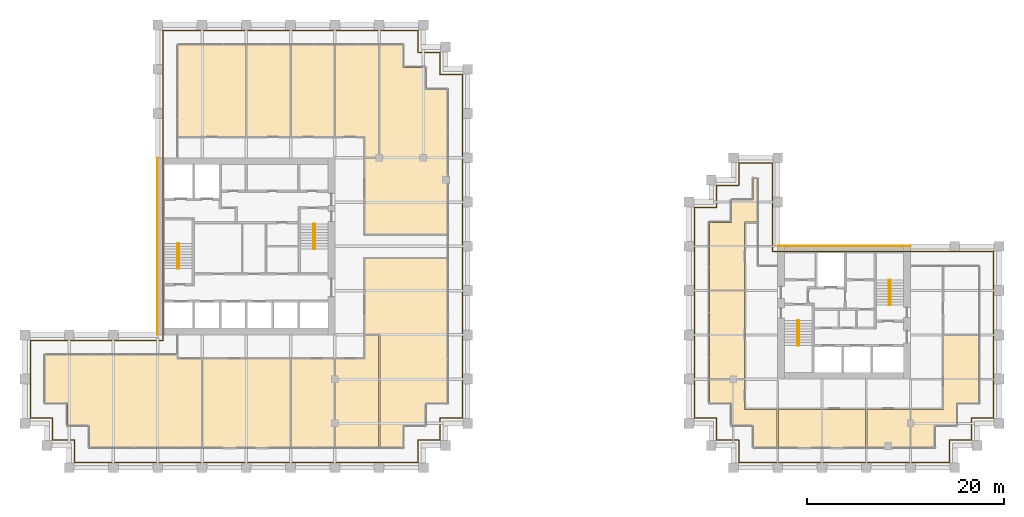
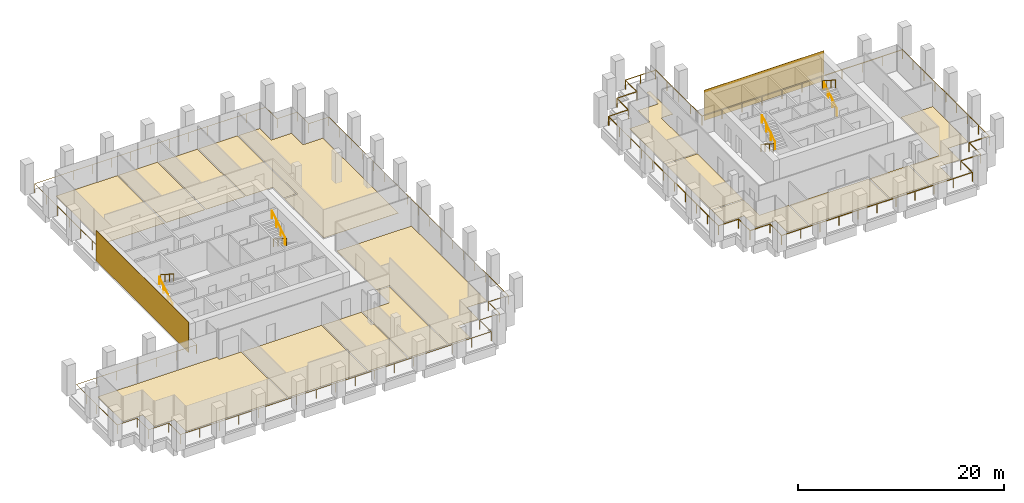
# One storey, part 45 of 46: 18 coverings, 10 railings.
"""IFC4 building model written with IfcOpenShell, lengths in metres."""

import ifcopenshell
import ifcopenshell.guid

model = None  # the IFC model being written
_history = None  # IfcOwnerHistory: only IFC2X3 demands one
_inside = {}  # id of a spatial element -> (the spatial element, [elements in it])
_under = {}  # id of a project, library or spatial element -> (it, [spatial elements below it])
_declared = {}  # id of a project -> (the project, [libraries it declares])
_typed = {}  # id of a type object -> (the type object, [elements of that type])
_made_of = {}  # id of a material, layer set ... -> (it, [elements and type objects made of it])


def new_model(schema):
    """Start an empty IFC model of exactly this schema.

    Asked for "IFC4X3", IfcOpenShell would pick the latest addendum, in which some entities
    have other attributes; the version numbers below select the first issue.
    IFC2X3 requires an IfcOwnerHistory on every rooted entity: one is made here for all.
    """
    global model, _history
    if schema == "IFC4X3":
        model = ifcopenshell.file(schema_version=(4, 3, 0, 0))
    else:
        model = ifcopenshell.file(schema=schema)
    _inside.clear()
    _under.clear()
    _declared.clear()
    _typed.clear()
    _made_of.clear()
    _history = None
    if model.schema == "IFC2X3":
        org = make("IfcOrganization", Name="unknown")
        user = make(
            "IfcPersonAndOrganization",
            ThePerson=make("IfcPerson", FamilyName="unknown"),
            TheOrganization=org,
        )
        app = make(
            "IfcApplication",
            ApplicationDeveloper=org,
            Version="unknown",
            ApplicationFullName="unknown",
            ApplicationIdentifier="unknown",
        )
        _history = make(
            "IfcOwnerHistory",
            OwningUser=user,
            OwningApplication=app,
            ChangeAction="ADDED",
            CreationDate=0,
        )
    return model


def make(cls, **values):
    """One entity of the class cls with the attributes given. An attribute that is None is left unset."""
    return model.create_entity(
        cls, **{name: value for name, value in values.items() if value is not None}
    )


def rooted(cls, **values):
    """An entity with a GlobalId (a new one), such as an element, a storey or a relation."""
    return make(cls, GlobalId=ifcopenshell.guid.new(), OwnerHistory=_history, **values)


def si_unit(unit_type, name, prefix=None):
    """IfcSIUnit, for example si_unit("LENGTHUNIT", "METRE", prefix="MILLI")."""
    return make("IfcSIUnit", UnitType=unit_type, Prefix=prefix, Name=name)


def assignment(units):
    """IfcUnitAssignment: the units of a project."""
    return None if units is None else make("IfcUnitAssignment", Units=units)


def point(xyz):
    """IfcCartesianPoint."""
    return None if xyz is None else make("IfcCartesianPoint", Coordinates=xyz)


def direction(xyz):
    """IfcDirection."""
    return None if xyz is None else make("IfcDirection", DirectionRatios=xyz)


def frame(location, z_axis=None, x_axis=None):
    """IfcAxis2Placement3D, a coordinate frame: its origin and axes. An axis left out is left unset."""
    return make(
        "IfcAxis2Placement3D",
        Location=point(location),
        Axis=direction(z_axis),
        RefDirection=direction(x_axis),
    )


def frame_2d(location, x_axis=None):
    """IfcAxis2Placement2D, a coordinate frame in the plane: its origin and x axis."""
    return make(
        "IfcAxis2Placement2D", Location=point(location), RefDirection=direction(x_axis)
    )


def origin():
    """The frame at (0, 0, 0) with its axes left unset."""
    return frame((0.0, 0.0, 0.0))


def origin_2d():
    """The frame at (0, 0) in the plane with its x axis left unset."""
    return frame_2d((0.0, 0.0))


def place(relative_to, where):
    """IfcLocalPlacement: puts the frame where relative to a parent placement (None: the world)."""
    return make(
        "IfcLocalPlacement", PlacementRelTo=relative_to, RelativePlacement=where
    )


def context(
    kind, dimensions, precision=None, world=None, true_north=None, identifier=None
):
    """IfcGeometricRepresentationContext, for example the 3D "Model" context."""
    return make(
        "IfcGeometricRepresentationContext",
        ContextIdentifier=identifier,
        ContextType=kind,
        CoordinateSpaceDimension=dimensions,
        Precision=precision,
        WorldCoordinateSystem=world,
        TrueNorth=true_north,
    )


def subcontext(parent, identifier, kind, view, scale=None):
    """IfcGeometricRepresentationSubContext, for example "Body" below "Model"."""
    return make(
        "IfcGeometricRepresentationSubContext",
        ContextIdentifier=identifier,
        ContextType=kind,
        ParentContext=parent,
        TargetScale=scale,
        TargetView=view,
    )


def project(units=None, contexts=None):
    """IfcProject with its units and contexts."""
    return rooted(
        "IfcProject",
        Name="project",
        RepresentationContexts=contexts,
        UnitsInContext=assignment(units),
    )


def spatial(cls, under=None, at=None, **own):
    """A site, building, storey or space (cls), placed at a placement, below another one or the project."""
    s = rooted(cls, ObjectPlacement=at, **own)
    if under is not None:
        _under.setdefault(under.id(), (under, []))[1].append(s)
    return s


def polyline(points):
    """IfcPolyline through the points."""
    return make("IfcPolyline", Points=[point(p) for p in points])


def profile(cls, at=None, kind="AREA", **sizes):
    """A parametric profile (cls). Its sizes go by their IFC names, for example OverallWidth=200.0."""
    return make(cls, ProfileType=kind, Position=at, **sizes)


def rectangle(**sizes):
    """IfcRectangleProfileDef."""
    return profile("IfcRectangleProfileDef", **sizes)


def circle(**sizes):
    """IfcCircleProfileDef."""
    return profile("IfcCircleProfileDef", **sizes)


def outline(outer, holes=None, kind="AREA"):
    """IfcArbitraryClosedProfileDef: a profile drawn as a closed curve; with holes, ...WithVoids."""
    if holes is None:
        return make("IfcArbitraryClosedProfileDef", ProfileType=kind, OuterCurve=outer)
    return make(
        "IfcArbitraryProfileDefWithVoids",
        ProfileType=kind,
        OuterCurve=outer,
        InnerCurves=holes,
    )


def extrude(swept, where, along, depth):
    """IfcExtrudedAreaSolid: the profile swept, set in the frame where, extruded along a direction by depth."""
    return make(
        "IfcExtrudedAreaSolid",
        SweptArea=swept,
        Position=where,
        ExtrudedDirection=direction(along),
        Depth=depth,
    )


def shape(context_of_items, identifier, shape_type, items):
    """IfcShapeRepresentation: the items that make up one representation, for example the "Body"."""
    return make(
        "IfcShapeRepresentation",
        ContextOfItems=context_of_items,
        RepresentationIdentifier=identifier,
        RepresentationType=shape_type,
        Items=items,
    )


def source(mapping_origin, context_of_items, identifier, shape_type, items):
    """IfcRepresentationMap: a shape defined once, which mapped items show again and again."""
    return make(
        "IfcRepresentationMap",
        MappingOrigin=mapping_origin,
        MappedRepresentation=shape(context_of_items, identifier, shape_type, items),
    )


def transform(
    local_origin,
    x_axis=None,
    y_axis=None,
    z_axis=None,
    scale=None,
    scale2=None,
    scale3=None,
    uniform=True,
):
    """IfcCartesianTransformationOperator3D, or its non-uniform kind. x_axis, y_axis, z_axis: its Axis1, 2, 3."""
    if uniform:
        return make(
            "IfcCartesianTransformationOperator3D",
            Axis1=direction(x_axis),
            Axis2=direction(y_axis),
            LocalOrigin=point(local_origin),
            Scale=scale,
            Axis3=direction(z_axis),
        )
    return make(
        "IfcCartesianTransformationOperator3DnonUniform",
        Axis1=direction(x_axis),
        Axis2=direction(y_axis),
        LocalOrigin=point(local_origin),
        Scale=scale,
        Axis3=direction(z_axis),
        Scale2=scale2,
        Scale3=scale3,
    )


def mapped(mapping_source, mapping_target):
    """IfcMappedItem: shows the shape of a source again, moved by a transform."""
    return make(
        "IfcMappedItem", MappingSource=mapping_source, MappingTarget=mapping_target
    )


def material(Name=None, Category=None):
    """IfcMaterial."""
    return make("IfcMaterial", Name=Name, Category=Category)


def layer(
    of_material, thickness, ventilated=None, Name=None, Category=None, Priority=None
):
    """IfcMaterialLayer: one layer of a wall or slab, of a material (None: an air gap)."""
    return make(
        "IfcMaterialLayer",
        Material=of_material,
        LayerThickness=thickness,
        IsVentilated=ventilated,
        Name=Name,
        Category=Category,
        Priority=Priority,
    )


def layer_set(layers, Name=None):
    """IfcMaterialLayerSet."""
    return make("IfcMaterialLayerSet", MaterialLayers=layers, LayerSetName=Name)


def made_of(thing, what):
    """Note that an element or type object is made of a material, layer set ...; save() writes the relation."""
    if what is not None:
        _made_of.setdefault(what.id(), (what, []))[1].append(thing)
    return thing


def type_object(cls, material=None, **own):
    """A type object (cls), such as IfcWallType, which elements share."""
    return made_of(rooted(cls, **own), material)


def element(
    cls,
    number,
    at=None,
    inside=None,
    cuts=None,
    type_object=None,
    material=None,
    context=None,
    identifier="Body",
    shape_type=None,
    held_by="IfcProductDefinitionShape",
    body=None,
    shapes=None,
    **own,
):
    """One element of the class cls, such as IfcWall. Its Tag is "e" and its number.

    at: its placement. inside: the storey or other place that contains it. cuts: it is an
    opening in that element (IfcRelVoidsElement). A single representation is given by context,
    identifier, shape_type and body (its items); several are given by shapes. held_by: the class
    of the entity that holds the representations. save() writes the other relations.
    """
    e = rooted(cls, Tag="e%d" % number, ObjectPlacement=at, **own)
    if body is not None:
        shapes = [shape(context, identifier, shape_type, body)]
    if shapes is not None:
        e.Representation = make(held_by, Representations=shapes)
    if inside is not None:
        _inside.setdefault(inside.id(), (inside, []))[1].append(e)
    if cuts is not None:
        rooted(
            "IfcRelVoidsElement", RelatingBuildingElement=cuts, RelatedOpeningElement=e
        )
    if type_object is not None:
        _typed.setdefault(type_object.id(), (type_object, []))[1].append(e)
    return made_of(e, material)


def aggregate(whole, parts):
    """IfcRelAggregates: a whole, such as a stair, and the parts it consists of."""
    return rooted("IfcRelAggregates", RelatingObject=whole, RelatedObjects=parts)


def save(model, path):
    """Write the relations noted so far, then the file.

    IfcRelAggregates (storeys below a building ...), IfcRelContainedInSpatialStructure (elements
    in a storey), IfcRelDefinesByType, IfcRelAssociatesMaterial and IfcRelDeclares: one each for
    every whole, place, type object, material and project.
    """
    for whole, parts in _under.values():
        aggregate(whole, parts)
    for where, things in _inside.values():
        rooted(
            "IfcRelContainedInSpatialStructure",
            RelatedElements=things,
            RelatingStructure=where,
        )
    for kind, things in _typed.values():
        rooted("IfcRelDefinesByType", RelatedObjects=things, RelatingType=kind)
    for what, things in _made_of.values():
        rooted("IfcRelAssociatesMaterial", RelatedObjects=things, RelatingMaterial=what)
    for by, libraries in _declared.values():
        rooted("IfcRelDeclares", RelatingContext=by, RelatedDefinitions=libraries)
    model.write(path)


model = new_model("IFC4")

# Units and contexts
model_context = context("Model", 3, precision=1e-05, world=origin(), true_north=direction((0.0, 1.0)))
body_context = subcontext(model_context, "Body", "Model", "MODEL_VIEW")
ifc_project = project(units=[si_unit("LENGTHUNIT", "METRE"), si_unit("AREAUNIT", "SQUARE_METRE"), si_unit("VOLUMEUNIT", "CUBIC_METRE"), si_unit("PLANEANGLEUNIT", "RADIAN"), si_unit("MASSUNIT", "GRAM", prefix="KILO")], contexts=[model_context])

# Site, building, storey
site_placement = place(None, origin())
site = spatial("IfcSite", under=ifc_project, at=site_placement, CompositionType="ELEMENT")
building_placement = place(site_placement, origin())
building = spatial("IfcBuilding", under=site, at=building_placement, Name="Altepetl Exchange Towers", CompositionType="ELEMENT")
storey_placement = place(building_placement, frame((0.0, 0.0, 128.0)))
storey = spatial("IfcBuildingStorey", under=building, at=storey_placement, Name="L31", CompositionType="ELEMENT", Elevation=128.0)

# Coverings
ifc_material_1 = material(Name="Carpet tile")
ifc_layer_1 = layer(ifc_material_1, 0.02001953125)
ifc_layer_set_1 = layer_set([ifc_layer_1], Name="Carpet tile")
covering_type_1 = type_object("IfcCoveringType", Name="Carpet tile floor", PredefinedType="FLOORING", material=ifc_layer_set_1)
covering_1_placement = place(storey_placement, origin())
element("IfcCovering", 1, at=covering_1_placement, inside=storey, type_object=covering_type_1, Name="Open office floor finish A31.01", PredefinedType="FLOORING", context=body_context, shape_type="SweptSolid", body=[
    extrude(outline(polyline([(33.5625, 29.0625), (44.9375, 29.0625), (44.9375, 38.03759765625), (42.4375, 38.03759765625), (42.4375, 38.4375), (29.0625, 38.4375), (29.0625, 33.5625), (31.3125, 33.5625), (31.3125, 31.3125), (33.5625, 31.3125), (33.5625, 29.0625)])), origin(), (0.0, 0.0, 1.0), 0.02001953125),
])
covering_2_placement = place(storey_placement, origin())
element("IfcCovering", 2, at=covering_2_placement, inside=storey, type_object=covering_type_1, Name="Research office floor finish A31.02", PredefinedType="FLOORING", context=body_context, shape_type="SweptSolid", body=[
    extrude(outline(polyline([(53.9375, 29.0625), (53.9375, 38.03759765625), (45.0625, 38.03759765625), (45.0625, 29.0625), (53.9375, 29.0625)])), origin(), (0.0, 0.0, 1.0), 0.02001953125),
])
covering_3_placement = place(storey_placement, origin())
element("IfcCovering", 3, at=covering_3_placement, inside=storey, type_object=covering_type_1, Name="Quiet room floor finish A31.03", PredefinedType="FLOORING", context=body_context, shape_type="SweptSolid", body=[
    extrude(outline(polyline([(58.4375, 29.0625), (58.4375, 38.03759765625), (54.0625, 38.03759765625), (54.0625, 29.0625), (58.4375, 29.0625)])), origin(), (0.0, 0.0, 1.0), 0.02001953125),
])
covering_4_placement = place(storey_placement, origin())
element("IfcCovering", 4, at=covering_4_placement, inside=storey, type_object=covering_type_1, Name="Interview room floor finish A31.04", PredefinedType="FLOORING", context=body_context, shape_type="SweptSolid", body=[
    extrude(outline(polyline([(62.9375, 29.0625), (62.9375, 40.4375), (61.5625, 40.4375), (61.5625, 38.03759765625), (58.5625, 38.03759765625), (58.5625, 29.0625), (62.9375, 29.0625)])), origin(), (0.0, 0.0, 1.0), 0.02001953125),
])
covering_5_placement = place(storey_placement, origin())
element("IfcCovering", 5, at=covering_5_placement, inside=storey, type_object=covering_type_1, Name="Research office floor finish A31.05", PredefinedType="FLOORING", context=body_context, shape_type="SweptSolid", body=[
    extrude(outline(polyline([(67.6875, 31.3125), (67.6875, 33.5625), (69.9375, 33.5625), (69.9375, 48.237548828125), (61.5625, 48.237548828125), (61.5625, 40.5625), (63.0625, 40.5625), (63.0625, 29.0625), (65.4375, 29.0625), (65.4375, 31.3125), (67.6875, 31.3125)])), origin(), (0.0, 0.0, 1.0), 0.02001953125),
])
covering_6_placement = place(storey_placement, origin())
element("IfcCovering", 6, at=covering_6_placement, inside=storey, type_object=covering_type_1, Name="Open office floor finish A31.06", PredefinedType="FLOORING", context=body_context, shape_type="SweptSolid", body=[
    extrude(outline(polyline([(61.5625, 50.762451171875), (69.9375, 50.762451171875), (69.9375, 65.4375), (67.6875, 65.4375), (67.6875, 67.6875), (65.4375, 67.6875), (65.4375, 69.9375), (63.0625, 69.9375), (63.0625, 58.4375), (61.5625, 58.4375), (61.5625, 50.762451171875)])), origin(), (0.0, 0.0, 1.0), 0.02001953125),
])
covering_7_placement = place(storey_placement, origin())
element("IfcCovering", 7, at=covering_7_placement, inside=storey, type_object=covering_type_1, Name="Seminar room floor finish A31.07", PredefinedType="FLOORING", context=body_context, shape_type="SweptSolid", body=[
    extrude(outline(polyline([(61.5625, 58.5625), (62.9375, 58.5625), (62.9375, 69.9375), (58.5625, 69.9375), (58.5625, 60.66259765625), (61.5625, 60.66259765625), (61.5625, 58.5625)])), origin(), (0.0, 0.0, 1.0), 0.02001953125),
])
covering_8_placement = place(storey_placement, origin())
element("IfcCovering", 8, at=covering_8_placement, inside=storey, type_object=covering_type_1, Name="Quiet room floor finish A31.08", PredefinedType="FLOORING", context=body_context, shape_type="SweptSolid", body=[
    extrude(outline(polyline([(58.4375, 60.66259765625), (58.4375, 69.9375), (54.0625, 69.9375), (54.0625, 60.66259765625), (58.4375, 60.66259765625)])), origin(), (0.0, 0.0, 1.0), 0.02001953125),
])
covering_9_placement = place(storey_placement, origin())
element("IfcCovering", 9, at=covering_9_placement, inside=storey, type_object=covering_type_1, Name="Open office floor finish A31.10", PredefinedType="FLOORING", context=body_context, shape_type="SweptSolid", body=[
    extrude(outline(polyline([(49.4375, 60.66259765625), (49.4375, 69.9375), (42.5625, 69.9375), (42.5625, 60.66259765625), (49.4375, 60.66259765625)])), origin(), (0.0, 0.0, 1.0), 0.02001953125),
])
covering_10_placement = place(storey_placement, origin())
element("IfcCovering", 10, at=covering_10_placement, inside=storey, type_object=covering_type_1, Name="Cowork office floor finish B31.01", PredefinedType="FLOORING", context=body_context, shape_type="SweptSolid", body=[
    extrude(outline(polyline([(100.137451171875, 44.9375), (96.5625, 44.9375), (96.5625, 36.0625), (100.137451171875, 36.0625), (100.137451171875, 44.9375)])), origin(), (0.0, 0.0, 1.0), 0.02001953125),
])
covering_11_placement = place(storey_placement, origin())
element("IfcCovering", 11, at=covering_11_placement, inside=storey, type_object=covering_type_1, Name="Training room floor finish B31.02", PredefinedType="FLOORING", context=body_context, shape_type="SweptSolid", body=[
    extrude(outline(polyline([(100.137451171875, 35.9375), (96.5625, 35.9375), (96.5625, 33.5625), (98.8125, 33.5625), (98.8125, 31.3125), (101.0625, 31.3125), (101.0625, 29.0625), (103.4375, 29.0625), (103.4375, 32.9375), (100.137451171875, 32.9375), (100.137451171875, 35.9375)])), origin(), (0.0, 0.0, 1.0), 0.02001953125),
])
covering_12_placement = place(storey_placement, origin())
element("IfcCovering", 12, at=covering_12_placement, inside=storey, type_object=covering_type_1, Name="Cowork office floor finish B31.03", PredefinedType="FLOORING", context=body_context, shape_type="SweptSolid", body=[
    extrude(outline(polyline([(103.5625, 32.9375), (103.5625, 29.0625), (112.4375, 29.0625), (112.4375, 32.9375), (103.5625, 32.9375)])), origin(), (0.0, 0.0, 1.0), 0.02001953125),
])
covering_13_placement = place(storey_placement, origin())
element("IfcCovering", 13, at=covering_13_placement, inside=storey, type_object=covering_type_1, Name="Open office floor finish B31.05", PredefinedType="FLOORING", context=body_context, shape_type="SweptSolid", body=[
    extrude(outline(polyline([(117.0625, 32.9375), (117.0625, 29.0625), (119.4375, 29.0625), (119.4375, 31.3125), (121.6875, 31.3125), (121.6875, 33.5625), (123.9375, 33.5625), (123.9375, 40.4375), (120.362548828125, 40.4375), (120.362548828125, 32.9375), (117.0625, 32.9375)])), origin(), (0.0, 0.0, 1.0), 0.02001953125),
])
covering_14_placement = place(storey_placement, origin())
element("IfcCovering", 14, at=covering_14_placement, inside=storey, type_object=covering_type_1, Name="Cowork office floor finish B31.07", PredefinedType="FLOORING", context=body_context, shape_type="SweptSolid", body=[
    extrude(outline(polyline([(101.0625, 54.1875), (98.8125, 54.1875), (98.8125, 51.9375), (96.5625, 51.9375), (96.5625, 45.0625), (100.137451171875, 45.0625), (100.137451171875, 51.96240234375), (101.4375, 51.96240234375), (101.4375, 56.4375), (101.0625, 56.4375), (101.0625, 54.1875)])), origin(), (0.0, 0.0, 1.0), 0.02001953125),
])
ifc_material_2 = material(Name="Cantera stone", Category="masonry")
ifc_layer_2 = layer(ifc_material_2, 0.030029296875)
ifc_layer_set_2 = layer_set([ifc_layer_2], Name="Cantera stone")
covering_type_2 = type_object("IfcCoveringType", Name="Polished stone floor", PredefinedType="FLOORING", material=ifc_layer_set_2)
covering_15_placement = place(storey_placement, origin())
element("IfcCovering", 15, at=covering_15_placement, inside=storey, type_object=covering_type_2, Name="Lounge floor finish B31.04", PredefinedType="FLOORING", context=body_context, shape_type="SweptSolid", body=[
    extrude(outline(polyline([(112.5625, 32.9375), (112.5625, 29.0625), (116.9375, 29.0625), (116.9375, 32.9375), (112.5625, 32.9375)])), origin(), (0.0, 0.0, 1.0), 0.030029296875),
])
ifc_material_3 = material(Name="Calcium sulphate access floor panel")
ifc_layer_3 = layer(ifc_material_3, 0.0400390625)
ifc_layer_set_3 = layer_set([ifc_layer_3], Name="Calcium sulphate access floor panel")
covering_type_3 = type_object("IfcCoveringType", Name="Raised access floor panels", PredefinedType="FLOORING", material=ifc_layer_set_3)
covering_16_placement = place(storey_placement, origin())
element("IfcCovering", 16, at=covering_16_placement, inside=storey, type_object=covering_type_3, Name="Data room floor finish A31.09", PredefinedType="FLOORING", context=body_context, shape_type="SweptSolid", body=[
    extrude(outline(polyline([(53.9375, 60.66259765625), (53.9375, 69.9375), (49.5625, 69.9375), (49.5625, 60.66259765625), (53.9375, 60.66259765625)])), origin(), (0.0, 0.0, 1.0), 0.0400390625),
])
ifc_material_4 = material(Name="Cantera limestone cladding", Category="masonry")
ifc_layer_4 = layer(ifc_material_4, 0.0400390625)
ifc_layer_set_4 = layer_set([ifc_layer_4], Name="Cantera limestone cladding")
covering_type_4 = type_object("IfcCoveringType", Name="Stone panel 40 cantera", PredefinedType="CLADDING", material=ifc_layer_set_4)
covering_17_placement = place(storey_placement, frame((40.47998046875, 49.5, 0.0), z_axis=(0.0, 0.0, 1.0), x_axis=(0.0, -1.0, 0.0)))
element("IfcCovering", 17, at=covering_17_placement, inside=storey, type_object=covering_type_4, Name="Stone cladding panel", PredefinedType="CLADDING", context=body_context, shape_type="SweptSolid", body=[
    extrude(rectangle(XDim=18.0, YDim=0.0400390625, at=origin_2d()), origin(), (0.0, 0.0, 1.0), 3.60009765625),
])
covering_18_placement = place(storey_placement, frame((110.25, 49.52001953125, 0.0), z_axis=(0.0, 0.0, 1.0), x_axis=(-1.0, 0.0, 0.0)))
element("IfcCovering", 18, at=covering_18_placement, inside=storey, type_object=covering_type_4, Name="Stone cladding panel", PredefinedType="CLADDING", context=body_context, shape_type="SweptSolid", body=[
    extrude(rectangle(XDim=13.5, YDim=0.0400390625, at=origin_2d()), origin(), (0.0, 0.0, 1.0), 3.60009765625),
])

# Railings
ifc_material_5 = material(Name="Steel S355", Category="steel")
railing_type_1 = type_object("IfcRailingType", Name="Guard 1100 steel posts and rail", PredefinedType="GUARDRAIL", material=ifc_material_5)
shared_shape_1 = source(origin(), body_context, "Body", "SweptSolid", [
    extrude(circle(Radius=0.02099609375, at=origin_2d()), origin(), (0.0, 0.0, 1.0), 1.052001953125),
])
railing_1_placement = place(storey_placement, frame((41.050048828125, 39.949951171875, 0.0)))
element("IfcRailing", 19, at=railing_1_placement, inside=storey, type_object=railing_type_1, Name="Loggia guard", PredefinedType="GUARDRAIL", context=body_context, shape_type="SweptSolid", body=[
    extrude(circle(Radius=0.02392578125, at=origin_2d()), frame((0.0, 0.0, 1.076171875), z_axis=(-1.0, 0.0, 0.0), x_axis=(0.0, -1.0, 0.0)), (0.0, 0.0, 1.0), 13.5),
    extrude(circle(Radius=0.02392578125, at=origin_2d()), frame((-13.5, 0.0, 1.076171875), z_axis=(0.0, -1.0, 0.0), x_axis=(1.0, 0.0, 0.0)), (0.0, 0.0, 1.0), 7.89990234375),
    extrude(circle(Radius=0.02392578125, at=origin_2d()), frame((-13.5, -7.89990234375, 1.076171875), z_axis=(1.0, 0.0, 0.0), x_axis=(0.0, 1.0, 0.0)), (0.0, 0.0, 1.0), 2.25),
    extrude(circle(Radius=0.02392578125, at=origin_2d()), frame((-11.25, -7.89990234375, 1.076171875), z_axis=(0.0, -1.0, 0.0), x_axis=(1.0, 0.0, 0.0)), (0.0, 0.0, 1.0), 2.25),
    extrude(circle(Radius=0.02392578125, at=origin_2d()), frame((-11.25, -10.14990234375, 1.076171875), z_axis=(1.0, 0.0, 0.0), x_axis=(0.0, 1.0, 0.0)), (0.0, 0.0, 1.0), 2.25),
    extrude(circle(Radius=0.02392578125, at=origin_2d()), frame((-9.0, -10.14990234375, 1.076171875), z_axis=(0.0, -1.0, 0.0), x_axis=(1.0, 0.0, 0.0)), (0.0, 0.0, 1.0), 2.25),
    extrude(circle(Radius=0.02392578125, at=origin_2d()), frame((-9.0, -12.39990234375, 1.076171875), z_axis=(1.0, 0.0, 0.0), x_axis=(0.0, 1.0, 0.0)), (0.0, 0.0, 1.0), 34.89990234375),
    extrude(circle(Radius=0.02392578125, at=origin_2d()), frame((25.89990234375, -12.39990234375, 1.076171875), z_axis=(0.0, 1.0, 0.0), x_axis=(-1.0, 0.0, 0.0)), (0.0, 0.0, 1.0), 2.25),
    extrude(circle(Radius=0.02392578125, at=origin_2d()), frame((25.89990234375, -10.14990234375, 1.076171875), z_axis=(1.0, 0.0, 0.0), x_axis=(0.0, 1.0, 0.0)), (0.0, 0.0, 1.0), 2.25),
    extrude(circle(Radius=0.02392578125, at=origin_2d()), frame((28.14990234375, -10.14990234375, 1.076171875), z_axis=(0.0, 1.0, 0.0), x_axis=(-1.0, 0.0, 0.0)), (0.0, 0.0, 1.0), 2.25),
    extrude(circle(Radius=0.02392578125, at=origin_2d()), frame((28.14990234375, -7.89990234375, 1.076171875), z_axis=(1.0, 0.0, 0.0), x_axis=(0.0, 1.0, 0.0)), (0.0, 0.0, 1.0), 2.25),
    extrude(circle(Radius=0.02392578125, at=origin_2d()), frame((30.39990234375, -7.89990234375, 1.076171875), z_axis=(0.0, 1.0, 0.0), x_axis=(-1.0, 0.0, 0.0)), (0.0, 0.0, 1.0), 34.89990234375),
    extrude(circle(Radius=0.02392578125, at=origin_2d()), frame((30.39990234375, 27.0, 1.076171875), z_axis=(-1.0, 0.0, 0.0), x_axis=(0.0, -1.0, 0.0)), (0.0, 0.0, 1.0), 2.25),
    extrude(circle(Radius=0.02392578125, at=origin_2d()), frame((28.14990234375, 27.0, 1.076171875), z_axis=(0.0, 1.0, 0.0), x_axis=(-1.0, 0.0, 0.0)), (0.0, 0.0, 1.0), 2.25),
    extrude(circle(Radius=0.02392578125, at=origin_2d()), frame((28.14990234375, 29.25, 1.076171875), z_axis=(-1.0, 0.0, 0.0), x_axis=(0.0, -1.0, 0.0)), (0.0, 0.0, 1.0), 2.25),
    extrude(circle(Radius=0.02392578125, at=origin_2d()), frame((25.89990234375, 29.25, 1.076171875), z_axis=(0.0, 1.0, 0.0), x_axis=(-1.0, 0.0, 0.0)), (0.0, 0.0, 1.0), 2.25),
    extrude(circle(Radius=0.02392578125, at=origin_2d()), frame((25.89990234375, 31.5, 1.076171875), z_axis=(-1.0, 0.0, 0.0), x_axis=(0.0, -1.0, 0.0)), (0.0, 0.0, 1.0), 25.89990234375),
    extrude(circle(Radius=0.02392578125, at=origin_2d()), frame((0.0, 31.5, 1.076171875), z_axis=(0.0, -1.0, 0.0), x_axis=(1.0, 0.0, 0.0)), (0.0, 0.0, 1.0), 31.39990234375),
    mapped(shared_shape_1, transform((0.0, 0.0, 0.0))),
    mapped(shared_shape_1, transform((-2.25, 0.0, 0.0))),
    mapped(shared_shape_1, transform((-4.5, 0.0, 0.0))),
    mapped(shared_shape_1, transform((-6.75, 0.0, 0.0))),
    mapped(shared_shape_1, transform((-9.0, 0.0, 0.0))),
    mapped(shared_shape_1, transform((-11.25, 0.0, 0.0))),
    mapped(shared_shape_1, transform((-13.5, 0.0, 0.0))),
    mapped(shared_shape_1, transform((-13.5, -1.97509765625, 0.0))),
    mapped(shared_shape_1, transform((-13.5, -3.949951171875, 0.0))),
    mapped(shared_shape_1, transform((-13.5, -5.9248046875, 0.0))),
    mapped(shared_shape_1, transform((-13.5, -7.89990234375, 0.0))),
    mapped(shared_shape_1, transform((-11.25, -7.89990234375, 0.0))),
    mapped(shared_shape_1, transform((-11.25, -10.14990234375, 0.0))),
    mapped(shared_shape_1, transform((-9.0, -10.14990234375, 0.0))),
    mapped(shared_shape_1, transform((-9.0, -12.39990234375, 0.0))),
    mapped(shared_shape_1, transform((-6.81884765625, -12.39990234375, 0.0))),
    mapped(shared_shape_1, transform((-4.637451171875, -12.39990234375, 0.0))),
    mapped(shared_shape_1, transform((-2.456298828125, -12.39990234375, 0.0))),
    mapped(shared_shape_1, transform((-0.27490234375, -12.39990234375, 0.0))),
    mapped(shared_shape_1, transform((1.90625, -12.39990234375, 0.0))),
    mapped(shared_shape_1, transform((4.08740234375, -12.39990234375, 0.0))),
    mapped(shared_shape_1, transform((6.268798828125, -12.39990234375, 0.0))),
    mapped(shared_shape_1, transform((8.449951171875, -12.39990234375, 0.0))),
    mapped(shared_shape_1, transform((10.631103515625, -12.39990234375, 0.0))),
    mapped(shared_shape_1, transform((12.8125, -12.39990234375, 0.0))),
    mapped(shared_shape_1, transform((14.99365234375, -12.39990234375, 0.0))),
    mapped(shared_shape_1, transform((17.1748046875, -12.39990234375, 0.0))),
    mapped(shared_shape_1, transform((19.356201171875, -12.39990234375, 0.0))),
    mapped(shared_shape_1, transform((21.537353515625, -12.39990234375, 0.0))),
    mapped(shared_shape_1, transform((23.71875, -12.39990234375, 0.0))),
    mapped(shared_shape_1, transform((25.89990234375, -12.39990234375, 0.0))),
    mapped(shared_shape_1, transform((25.89990234375, -10.14990234375, 0.0))),
    mapped(shared_shape_1, transform((28.14990234375, -10.14990234375, 0.0))),
    mapped(shared_shape_1, transform((28.14990234375, -7.89990234375, 0.0))),
    mapped(shared_shape_1, transform((30.39990234375, -7.89990234375, 0.0))),
    mapped(shared_shape_1, transform((30.39990234375, -5.71875, 0.0))),
    mapped(shared_shape_1, transform((30.39990234375, -3.537353515625, 0.0))),
    mapped(shared_shape_1, transform((30.39990234375, -1.356201171875, 0.0))),
    mapped(shared_shape_1, transform((30.39990234375, 0.8251953125, 0.0))),
    mapped(shared_shape_1, transform((30.39990234375, 3.00634765625, 0.0))),
    mapped(shared_shape_1, transform((30.39990234375, 5.1875, 0.0))),
    mapped(shared_shape_1, transform((30.39990234375, 7.368896484375, 0.0))),
    mapped(shared_shape_1, transform((30.39990234375, 9.550048828125, 0.0))),
    mapped(shared_shape_1, transform((30.39990234375, 11.731201171875, 0.0))),
    mapped(shared_shape_1, transform((30.39990234375, 13.91259765625, 0.0))),
    mapped(shared_shape_1, transform((30.39990234375, 16.09375, 0.0))),
    mapped(shared_shape_1, transform((30.39990234375, 18.27490234375, 0.0))),
    mapped(shared_shape_1, transform((30.39990234375, 20.456298828125, 0.0))),
    mapped(shared_shape_1, transform((30.39990234375, 22.637451171875, 0.0))),
    mapped(shared_shape_1, transform((30.39990234375, 24.81884765625, 0.0))),
    mapped(shared_shape_1, transform((30.39990234375, 27.0, 0.0))),
    mapped(shared_shape_1, transform((28.14990234375, 27.0, 0.0))),
    mapped(shared_shape_1, transform((28.14990234375, 29.25, 0.0))),
    mapped(shared_shape_1, transform((25.89990234375, 29.25, 0.0))),
    mapped(shared_shape_1, transform((25.89990234375, 31.5, 0.0))),
    mapped(shared_shape_1, transform((23.74169921875, 31.5, 0.0))),
    mapped(shared_shape_1, transform((21.583251953125, 31.5, 0.0))),
    mapped(shared_shape_1, transform((19.4248046875, 31.5, 0.0))),
    mapped(shared_shape_1, transform((17.2666015625, 31.5, 0.0))),
    mapped(shared_shape_1, transform((15.1083984375, 31.5, 0.0))),
    mapped(shared_shape_1, transform((12.949951171875, 31.5, 0.0))),
    mapped(shared_shape_1, transform((10.79150390625, 31.5, 0.0))),
    mapped(shared_shape_1, transform((8.63330078125, 31.5, 0.0))),
    mapped(shared_shape_1, transform((6.47509765625, 31.5, 0.0))),
    mapped(shared_shape_1, transform((4.316650390625, 31.5, 0.0))),
    mapped(shared_shape_1, transform((2.158203125, 31.5, 0.0))),
    mapped(shared_shape_1, transform((0.0, 31.5, 0.0))),
    mapped(shared_shape_1, transform((0.0, 29.257080078125, 0.0))),
    mapped(shared_shape_1, transform((0.0, 27.014404296875, 0.0))),
    mapped(shared_shape_1, transform((0.0, 24.771484375, 0.0))),
    mapped(shared_shape_1, transform((0.0, 22.528564453125, 0.0))),
    mapped(shared_shape_1, transform((0.0, 20.28564453125, 0.0))),
    mapped(shared_shape_1, transform((0.0, 18.04296875, 0.0))),
    mapped(shared_shape_1, transform((0.0, 15.800048828125, 0.0))),
    mapped(shared_shape_1, transform((0.0, 13.55712890625, 0.0))),
    mapped(shared_shape_1, transform((0.0, 11.314453125, 0.0))),
    mapped(shared_shape_1, transform((0.0, 9.071533203125, 0.0))),
    mapped(shared_shape_1, transform((0.0, 6.82861328125, 0.0))),
    mapped(shared_shape_1, transform((0.0, 4.585693359375, 0.0))),
    mapped(shared_shape_1, transform((0.0, 2.343017578125, 0.0))),
    mapped(shared_shape_1, transform((0.0, 0.10009765625, 0.0))),
])
railing_2_placement = place(storey_placement, frame((95.050048828125, 53.449951171875, 0.0)))
element("IfcRailing", 20, at=railing_2_placement, inside=storey, type_object=railing_type_1, Name="Loggia guard", PredefinedType="GUARDRAIL", context=body_context, shape_type="SweptSolid", body=[
    extrude(circle(Radius=0.02392578125, at=origin_2d()), frame((0.0, 0.0, 1.076171875), z_axis=(0.0, -1.0, 0.0), x_axis=(1.0, 0.0, 0.0)), (0.0, 0.0, 1.0), 21.39990234375),
    extrude(circle(Radius=0.02392578125, at=origin_2d()), frame((0.0, -21.39990234375, 1.076171875), z_axis=(1.0, 0.0, 0.0), x_axis=(0.0, 1.0, 0.0)), (0.0, 0.0, 1.0), 2.25),
    extrude(circle(Radius=0.02392578125, at=origin_2d()), frame((2.25, -21.39990234375, 1.076171875), z_axis=(0.0, -1.0, 0.0), x_axis=(1.0, 0.0, 0.0)), (0.0, 0.0, 1.0), 2.25),
    extrude(circle(Radius=0.02392578125, at=origin_2d()), frame((2.25, -23.64990234375, 1.076171875), z_axis=(1.0, 0.0, 0.0), x_axis=(0.0, 1.0, 0.0)), (0.0, 0.0, 1.0), 2.25),
    extrude(circle(Radius=0.02392578125, at=origin_2d()), frame((4.5, -23.64990234375, 1.076171875), z_axis=(0.0, -1.0, 0.0), x_axis=(1.0, 0.0, 0.0)), (0.0, 0.0, 1.0), 2.25),
    extrude(circle(Radius=0.02392578125, at=origin_2d()), frame((4.5, -25.89990234375, 1.076171875), z_axis=(1.0, 0.0, 0.0), x_axis=(0.0, 1.0, 0.0)), (0.0, 0.0, 1.0), 21.39990234375),
    extrude(circle(Radius=0.02392578125, at=origin_2d()), frame((25.89990234375, -25.89990234375, 1.076171875), z_axis=(0.0, 1.0, 0.0), x_axis=(-1.0, 0.0, 0.0)), (0.0, 0.0, 1.0), 2.25),
    extrude(circle(Radius=0.02392578125, at=origin_2d()), frame((25.89990234375, -23.64990234375, 1.076171875), z_axis=(1.0, 0.0, 0.0), x_axis=(0.0, 1.0, 0.0)), (0.0, 0.0, 1.0), 2.25),
    extrude(circle(Radius=0.02392578125, at=origin_2d()), frame((28.14990234375, -23.64990234375, 1.076171875), z_axis=(0.0, 1.0, 0.0), x_axis=(-1.0, 0.0, 0.0)), (0.0, 0.0, 1.0), 2.25),
    extrude(circle(Radius=0.02392578125, at=origin_2d()), frame((28.14990234375, -21.39990234375, 1.076171875), z_axis=(1.0, 0.0, 0.0), x_axis=(0.0, 1.0, 0.0)), (0.0, 0.0, 1.0), 2.25),
    extrude(circle(Radius=0.02392578125, at=origin_2d()), frame((30.39990234375, -21.39990234375, 1.076171875), z_axis=(0.0, 1.0, 0.0), x_axis=(-1.0, 0.0, 0.0)), (0.0, 0.0, 1.0), 16.89990234375),
    extrude(circle(Radius=0.02392578125, at=origin_2d()), frame((30.39990234375, -4.5, 1.076171875), z_axis=(-1.0, 0.0, 0.0), x_axis=(0.0, -1.0, 0.0)), (0.0, 0.0, 1.0), 22.5),
    extrude(circle(Radius=0.02392578125, at=origin_2d()), frame((7.89990234375, -4.5, 1.076171875), z_axis=(0.0, 1.0, 0.0), x_axis=(-1.0, 0.0, 0.0)), (0.0, 0.0, 1.0), 9.0),
    extrude(circle(Radius=0.02392578125, at=origin_2d()), frame((7.89990234375, 4.5, 1.076171875), z_axis=(-1.0, 0.0, 0.0), x_axis=(0.0, -1.0, 0.0)), (0.0, 0.0, 1.0), 3.39990234375),
    extrude(circle(Radius=0.02392578125, at=origin_2d()), frame((4.5, 4.5, 1.076171875), z_axis=(0.0, -1.0, 0.0), x_axis=(1.0, 0.0, 0.0)), (0.0, 0.0, 1.0), 2.25),
    extrude(circle(Radius=0.02392578125, at=origin_2d()), frame((4.5, 2.25, 1.076171875), z_axis=(-1.0, 0.0, 0.0), x_axis=(0.0, -1.0, 0.0)), (0.0, 0.0, 1.0), 2.25),
    extrude(circle(Radius=0.02392578125, at=origin_2d()), frame((2.25, 2.25, 1.076171875), z_axis=(0.0, -1.0, 0.0), x_axis=(1.0, 0.0, 0.0)), (0.0, 0.0, 1.0), 2.25),
    extrude(circle(Radius=0.02392578125, at=origin_2d()), frame((2.25, 0.0, 1.076171875), z_axis=(-1.0, 0.0, 0.0), x_axis=(0.0, -1.0, 0.0)), (0.0, 0.0, 1.0), 2.150146484375),
    mapped(shared_shape_1, transform((0.0, 0.0, 0.0))),
    mapped(shared_shape_1, transform((0.0, -2.139892578125, 0.0))),
    mapped(shared_shape_1, transform((0.0, -4.280029296875, 0.0))),
    mapped(shared_shape_1, transform((0.0, -6.419921875, 0.0))),
    mapped(shared_shape_1, transform((0.0, -8.56005859375, 0.0))),
    mapped(shared_shape_1, transform((0.0, -10.699951171875, 0.0))),
    mapped(shared_shape_1, transform((0.0, -12.83984375, 0.0))),
    mapped(shared_shape_1, transform((0.0, -14.97998046875, 0.0))),
    mapped(shared_shape_1, transform((0.0, -17.119873046875, 0.0))),
    mapped(shared_shape_1, transform((0.0, -19.260009765625, 0.0))),
    mapped(shared_shape_1, transform((0.0, -21.39990234375, 0.0))),
    mapped(shared_shape_1, transform((2.25, -21.39990234375, 0.0))),
    mapped(shared_shape_1, transform((2.25, -23.64990234375, 0.0))),
    mapped(shared_shape_1, transform((4.5, -23.64990234375, 0.0))),
    mapped(shared_shape_1, transform((4.5, -25.89990234375, 0.0))),
    mapped(shared_shape_1, transform((6.639892578125, -25.89990234375, 0.0))),
    mapped(shared_shape_1, transform((8.780029296875, -25.89990234375, 0.0))),
    mapped(shared_shape_1, transform((10.919921875, -25.89990234375, 0.0))),
    mapped(shared_shape_1, transform((13.06005859375, -25.89990234375, 0.0))),
    mapped(shared_shape_1, transform((15.199951171875, -25.89990234375, 0.0))),
    mapped(shared_shape_1, transform((17.33984375, -25.89990234375, 0.0))),
    mapped(shared_shape_1, transform((19.47998046875, -25.89990234375, 0.0))),
    mapped(shared_shape_1, transform((21.619873046875, -25.89990234375, 0.0))),
    mapped(shared_shape_1, transform((23.760009765625, -25.89990234375, 0.0))),
    mapped(shared_shape_1, transform((25.89990234375, -25.89990234375, 0.0))),
    mapped(shared_shape_1, transform((25.89990234375, -23.64990234375, 0.0))),
    mapped(shared_shape_1, transform((28.14990234375, -23.64990234375, 0.0))),
    mapped(shared_shape_1, transform((28.14990234375, -21.39990234375, 0.0))),
    mapped(shared_shape_1, transform((30.39990234375, -21.39990234375, 0.0))),
    mapped(shared_shape_1, transform((30.39990234375, -19.287353515625, 0.0))),
    mapped(shared_shape_1, transform((30.39990234375, -17.1748046875, 0.0))),
    mapped(shared_shape_1, transform((30.39990234375, -15.0625, 0.0))),
    mapped(shared_shape_1, transform((30.39990234375, -12.949951171875, 0.0))),
    mapped(shared_shape_1, transform((30.39990234375, -10.83740234375, 0.0))),
    mapped(shared_shape_1, transform((30.39990234375, -8.72509765625, 0.0))),
    mapped(shared_shape_1, transform((30.39990234375, -6.612548828125, 0.0))),
    mapped(shared_shape_1, transform((30.39990234375, -4.5, 0.0))),
    mapped(shared_shape_1, transform((28.14990234375, -4.5, 0.0))),
    mapped(shared_shape_1, transform((25.89990234375, -4.5, 0.0))),
    mapped(shared_shape_1, transform((23.64990234375, -4.5, 0.0))),
    mapped(shared_shape_1, transform((21.39990234375, -4.5, 0.0))),
    mapped(shared_shape_1, transform((19.14990234375, -4.5, 0.0))),
    mapped(shared_shape_1, transform((16.89990234375, -4.5, 0.0))),
    mapped(shared_shape_1, transform((14.64990234375, -4.5, 0.0))),
    mapped(shared_shape_1, transform((12.39990234375, -4.5, 0.0))),
    mapped(shared_shape_1, transform((10.14990234375, -4.5, 0.0))),
    mapped(shared_shape_1, transform((7.89990234375, -4.5, 0.0))),
    mapped(shared_shape_1, transform((7.89990234375, -2.25, 0.0))),
    mapped(shared_shape_1, transform((7.89990234375, 0.0, 0.0))),
    mapped(shared_shape_1, transform((7.89990234375, 2.25, 0.0))),
    mapped(shared_shape_1, transform((7.89990234375, 4.5, 0.0))),
    mapped(shared_shape_1, transform((6.199951171875, 4.5, 0.0))),
    mapped(shared_shape_1, transform((4.5, 4.5, 0.0))),
    mapped(shared_shape_1, transform((4.5, 2.25, 0.0))),
    mapped(shared_shape_1, transform((2.25, 2.25, 0.0))),
    mapped(shared_shape_1, transform((2.25, 0.0, 0.0))),
    mapped(shared_shape_1, transform((0.099853515625, 0.0, 0.0))),
])
ifc_material_6 = material(Name="Steel", Category="steel")
railing_type_2 = type_object("IfcRailingType", Name="Stair handrail 50 steel tube", PredefinedType="HANDRAIL", material=ifc_material_6)
shared_shape_2 = source(origin(), body_context, "Body", "SweptSolid", [
    extrude(circle(Radius=0.02099609375, at=origin_2d()), origin(), (0.0, 0.0, 1.0), 0.851806640625),
])
railing_3_placement = place(storey_placement, frame((42.52001953125, 47.25, 0.179931640625)))
element("IfcRailing", 21, at=railing_3_placement, inside=storey, type_object=railing_type_2, Name="Stair handrail", PredefinedType="HANDRAIL", context=body_context, shape_type="SweptSolid", body=[
    extrude(circle(Radius=0.02392578125, at=origin_2d()), frame((0.0, 0.0, 0.8759765625), z_axis=(0.0, 0.841162588446, 0.540782303519), x_axis=(-1.0, 0.0, 0.0)), (0.0, 0.0, 1.0), 2.995849609375),
    mapped(shared_shape_2, transform((0.0, 0.0, 0.0))),
    mapped(shared_shape_2, transform((0.0, 0.840087890625, 0.5400390625))),
    mapped(shared_shape_2, transform((0.0, 1.679931640625, 1.080078125))),
    mapped(shared_shape_2, transform((0.0, 2.52001953125, 1.6201171875))),
])
for number, where, name in (
    (22, (42.679931640625, 49.77001953125, 1.97998046875), "Stair handrail"),
    (23, (56.47998046875, 51.75, 0.179931640625), "Stair handrail"),
):
    element("IfcRailing", number, at=place(storey_placement, frame(where)), inside=storey, type_object=railing_type_2, Name=name, PredefinedType="HANDRAIL", context=body_context, shape_type="SweptSolid", body=[
        extrude(circle(Radius=0.02392578125, at=origin_2d()), frame((0.0, 0.0, 0.8759765625), z_axis=(0.0, -0.841162588446, 0.540782303519), x_axis=(1.0, 0.0, 0.0)), (0.0, 0.0, 1.0), 2.995849609375),
        mapped(shared_shape_2, transform((0.0, 0.0, 0.0))),
        mapped(shared_shape_2, transform((0.0, -0.840087890625, 0.5400390625))),
        mapped(shared_shape_2, transform((0.0, -1.679931640625, 1.080078125))),
        mapped(shared_shape_2, transform((0.0, -2.52001953125, 1.6201171875))),
    ])
railing_4_placement = place(storey_placement, frame((56.320068359375, 49.22998046875, 1.97998046875)))
element("IfcRailing", 24, at=railing_4_placement, inside=storey, type_object=railing_type_2, Name="Stair handrail", PredefinedType="HANDRAIL", context=body_context, shape_type="SweptSolid", body=[
    extrude(circle(Radius=0.02392578125, at=origin_2d()), frame((0.0, 0.0, 0.8759765625), z_axis=(0.0, 0.841162588446, 0.540782303519), x_axis=(-1.0, 0.0, 0.0)), (0.0, 0.0, 1.0), 2.995849609375),
    mapped(shared_shape_2, transform((0.0, 0.0, 0.0))),
    mapped(shared_shape_2, transform((0.0, 0.840087890625, 0.5400390625))),
    mapped(shared_shape_2, transform((0.0, 1.679931640625, 1.080078125))),
    mapped(shared_shape_2, transform((0.0, 2.52001953125, 1.6201171875))),
])
railing_5_placement = place(storey_placement, frame((105.52001953125, 41.949951171875, 0.179931640625)))
element("IfcRailing", 25, at=railing_5_placement, inside=storey, type_object=railing_type_2, Name="Stair handrail", PredefinedType="HANDRAIL", context=body_context, shape_type="SweptSolid", body=[
    extrude(circle(Radius=0.02392578125, at=origin_2d()), frame((0.0, 0.0, 0.8759765625), z_axis=(0.0, -0.841162588446, 0.540782303519), x_axis=(1.0, 0.0, 0.0)), (0.0, 0.0, 1.0), 2.995849609375),
    mapped(shared_shape_2, transform((0.0, 0.0, 0.0))),
    mapped(shared_shape_2, transform((0.0, -0.840087890625, 0.5400390625))),
    mapped(shared_shape_2, transform((0.0, -1.679931640625, 1.080078125))),
    mapped(shared_shape_2, transform((0.0, -2.52001953125, 1.6201171875))),
])
for number, where, name in (
    (26, (105.679931640625, 39.429931640625, 1.97998046875), "Stair handrail"),
    (27, (114.97998046875, 43.550048828125, 0.179931640625), "Stair handrail"),
):
    element("IfcRailing", number, at=place(storey_placement, frame(where)), inside=storey, type_object=railing_type_2, Name=name, PredefinedType="HANDRAIL", context=body_context, shape_type="SweptSolid", body=[
        extrude(circle(Radius=0.02392578125, at=origin_2d()), frame((0.0, 0.0, 0.8759765625), z_axis=(0.0, 0.841162588446, 0.540782303519), x_axis=(-1.0, 0.0, 0.0)), (0.0, 0.0, 1.0), 2.995849609375),
        mapped(shared_shape_2, transform((0.0, 0.0, 0.0))),
        mapped(shared_shape_2, transform((0.0, 0.840087890625, 0.5400390625))),
        mapped(shared_shape_2, transform((0.0, 1.679931640625, 1.080078125))),
        mapped(shared_shape_2, transform((0.0, 2.52001953125, 1.6201171875))),
    ])
railing_6_placement = place(storey_placement, frame((114.820068359375, 46.070068359375, 1.97998046875)))
element("IfcRailing", 28, at=railing_6_placement, inside=storey, type_object=railing_type_2, Name="Stair handrail", PredefinedType="HANDRAIL", context=body_context, shape_type="SweptSolid", body=[
    extrude(circle(Radius=0.02392578125, at=origin_2d()), frame((0.0, 0.0, 0.8759765625), z_axis=(0.0, -0.841162588446, 0.540782303519), x_axis=(1.0, 0.0, 0.0)), (0.0, 0.0, 1.0), 2.995849609375),
    mapped(shared_shape_2, transform((0.0, 0.0, 0.0))),
    mapped(shared_shape_2, transform((0.0, -0.840087890625, 0.5400390625))),
    mapped(shared_shape_2, transform((0.0, -1.679931640625, 1.080078125))),
    mapped(shared_shape_2, transform((0.0, -2.52001953125, 1.6201171875))),
])

save(model, "model.ifc")
